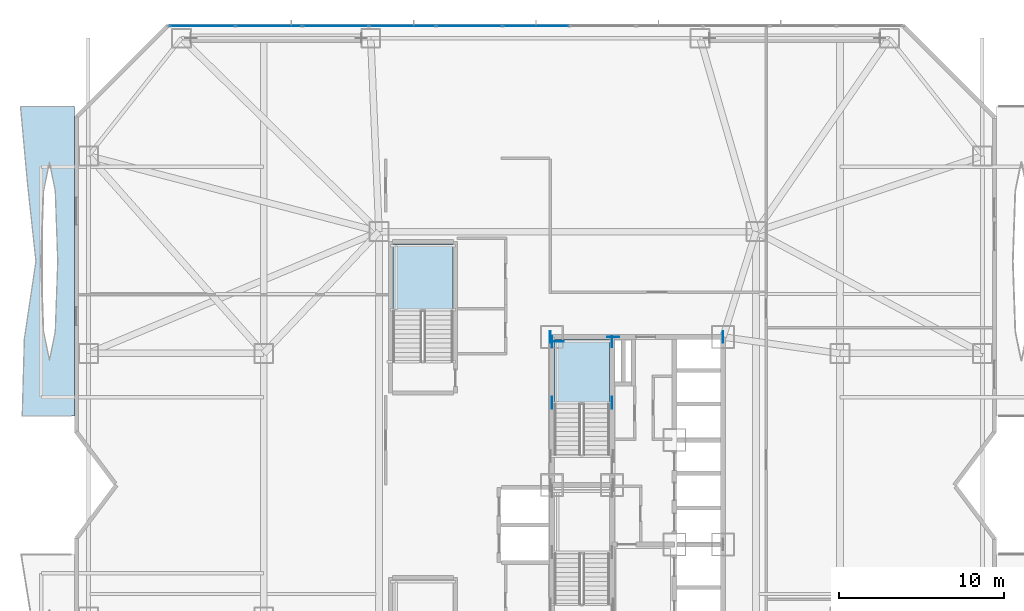
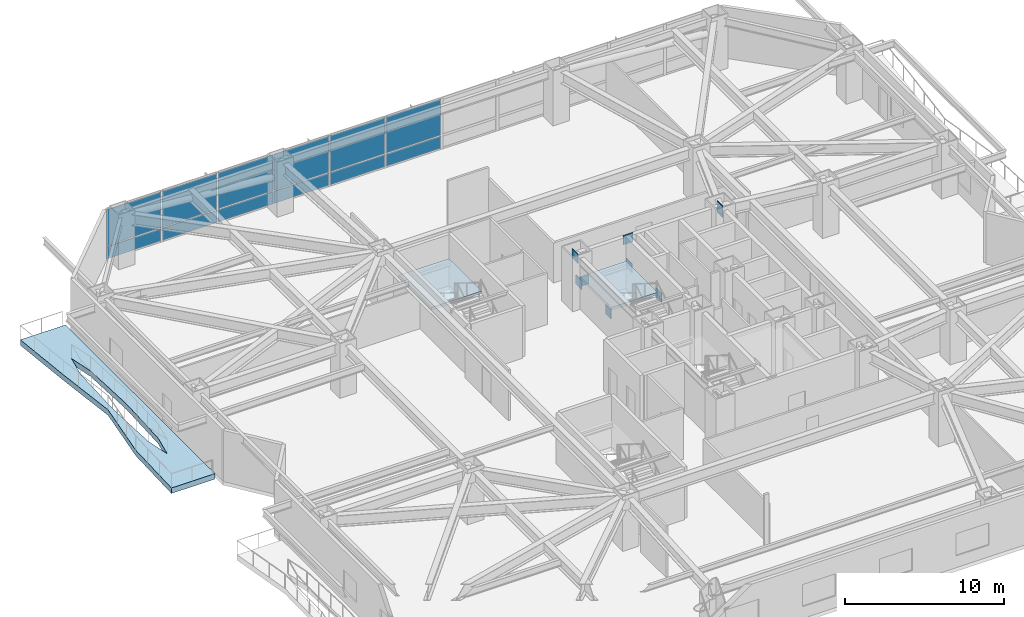
# One storey, part 12 of 25: 21 plates, 3 slabs, 3 elements without a shape of their own.
"""IFC4 building model written with IfcOpenShell, lengths in metres."""

from ifc_helpers import new_model, si_unit, direction, frame, origin, origin_2d, place, context, subcontext, project, spatial, polyline, rectangle, outline, extrude, material, layer, layer_set, type_object, element, aggregate, save


model = new_model("IFC4")

# Units and contexts
model_context = context("Model", 3, precision=1e-05, world=origin(), true_north=direction((0.0, 1.0)))
body_context = subcontext(model_context, "Body", "Model", "MODEL_VIEW")
ifc_project = project(units=[si_unit("LENGTHUNIT", "METRE"), si_unit("AREAUNIT", "SQUARE_METRE"), si_unit("VOLUMEUNIT", "CUBIC_METRE"), si_unit("PLANEANGLEUNIT", "RADIAN"), si_unit("MASSUNIT", "GRAM", prefix="KILO")], contexts=[model_context])

# Site, building, storey
site_placement = place(None, origin())
site = spatial("IfcSite", under=ifc_project, at=site_placement, CompositionType="ELEMENT")
building_placement = place(site_placement, origin())
building = spatial("IfcBuilding", under=site, at=building_placement, Name="Khamvora Tower", CompositionType="ELEMENT")
storey_placement = place(building_placement, frame((0.0, 0.0, 24.60009765625)))
storey = spatial("IfcBuildingStorey", under=building, at=storey_placement, Name="L05", CompositionType="ELEMENT", Elevation=24.60009765625)

# Curtain wall, plates
ifc_material_1 = material(Name="Anodised Aluminium 6063-T6", Category="aluminium")
curtain_wall_type = type_object("IfcCurtainWallType", Name="CW-SYS-01", PredefinedType="NOTDEFINED", material=ifc_material_1)
curtain_wall_placement = place(storey_placement, origin())
curtain_wall = element("IfcCurtainWall", 1, at=curtain_wall_placement, inside=storey, type_object=curtain_wall_type, Name="L05 stick curtain wall 07.1", PredefinedType="NOTDEFINED")
ifc_material_2 = material(Name="Low-E Laminated Double Glazing", Category="glass")
ifc_layer_1 = layer(ifc_material_2, 0.035888671875)
ifc_layer_set_1 = layer_set([ifc_layer_1], Name="Low-E Laminated Double Glazing")
plate_type_1 = type_object("IfcPlateType", Name="CW-SYS-01-PNL", PredefinedType="CURTAIN_PANEL", material=ifc_layer_set_1)
plate_1_placement = place(storey_placement, frame((7.774169921875, 55.8798828125, 0.074951171875), z_axis=(0.0, 0.0, 1.0), x_axis=(1.0, 0.0, 0.0)))
plate_1 = element("IfcPlate", 2, at=plate_1_placement, type_object=plate_type_1, Name="CW-01 panel 1.1", PredefinedType="CURTAIN_PANEL", context=body_context, shape_type="SweptSolid", body=[
    extrude(rectangle(XDim=3.944091796875, YDim=0.035888671875, at=origin_2d()), origin(), (0.0, 0.0, 1.0), 0.9375),
])
plate_2_placement = place(storey_placement, frame((7.774169921875, 55.8798828125, 1.08740234375), z_axis=(0.0, 0.0, 1.0), x_axis=(1.0, 0.0, 0.0)))
plate_2 = element("IfcPlate", 3, at=plate_2_placement, type_object=plate_type_1, Name="CW-01 panel 1.2", PredefinedType="CURTAIN_PANEL", context=body_context, shape_type="SweptSolid", body=[
    extrude(rectangle(XDim=3.944091796875, YDim=0.035888671875, at=origin_2d()), origin(), (0.0, 0.0, 1.0), 2.757568359375),
])
plate_3_placement = place(storey_placement, frame((11.81201171875, 55.8798828125, 0.074951171875), z_axis=(0.0, 0.0, 1.0), x_axis=(1.0, 0.0, 0.0)))
plate_3 = element("IfcPlate", 4, at=plate_3_placement, type_object=plate_type_1, Name="CW-01 panel 2.1", PredefinedType="CURTAIN_PANEL", context=body_context, shape_type="SweptSolid", body=[
    extrude(rectangle(XDim=3.981689453125, YDim=0.035888671875, at=origin_2d()), origin(), (0.0, 0.0, 1.0), 0.9375),
])
plate_4_placement = place(storey_placement, frame((11.81201171875, 55.8798828125, 1.08740234375), z_axis=(0.0, 0.0, 1.0), x_axis=(1.0, 0.0, 0.0)))
plate_4 = element("IfcPlate", 5, at=plate_4_placement, type_object=plate_type_1, Name="CW-01 panel 2.2", PredefinedType="CURTAIN_PANEL", context=body_context, shape_type="SweptSolid", body=[
    extrude(rectangle(XDim=3.981689453125, YDim=0.035888671875, at=origin_2d()), origin(), (0.0, 0.0, 1.0), 2.757568359375),
])
plate_5_placement = place(storey_placement, frame((15.86865234375, 55.8798828125, 0.074951171875), z_axis=(0.0, 0.0, 1.0), x_axis=(1.0, 0.0, 0.0)))
plate_5 = element("IfcPlate", 6, at=plate_5_placement, type_object=plate_type_1, Name="CW-01 panel 3.1", PredefinedType="CURTAIN_PANEL", context=body_context, shape_type="SweptSolid", body=[
    extrude(rectangle(XDim=3.981689453125, YDim=0.035888671875, at=origin_2d()), origin(), (0.0, 0.0, 1.0), 0.9375),
])
plate_6_placement = place(storey_placement, frame((15.86865234375, 55.8798828125, 1.08740234375), z_axis=(0.0, 0.0, 1.0), x_axis=(1.0, 0.0, 0.0)))
plate_6 = element("IfcPlate", 7, at=plate_6_placement, type_object=plate_type_1, Name="CW-01 panel 3.2", PredefinedType="CURTAIN_PANEL", context=body_context, shape_type="SweptSolid", body=[
    extrude(rectangle(XDim=3.981689453125, YDim=0.035888671875, at=origin_2d()), origin(), (0.0, 0.0, 1.0), 2.757568359375),
])
plate_7_placement = place(storey_placement, frame((19.92529296875, 55.8798828125, 0.074951171875), z_axis=(0.0, 0.0, 1.0), x_axis=(1.0, 0.0, 0.0)))
plate_7 = element("IfcPlate", 8, at=plate_7_placement, type_object=plate_type_1, Name="CW-01 panel 4.1", PredefinedType="CURTAIN_PANEL", context=body_context, shape_type="SweptSolid", body=[
    extrude(rectangle(XDim=3.981689453125, YDim=0.035888671875, at=origin_2d()), origin(), (0.0, 0.0, 1.0), 0.9375),
])
plate_8_placement = place(storey_placement, frame((19.92529296875, 55.8798828125, 1.08740234375), z_axis=(0.0, 0.0, 1.0), x_axis=(1.0, 0.0, 0.0)))
plate_8 = element("IfcPlate", 9, at=plate_8_placement, type_object=plate_type_1, Name="CW-01 panel 4.2", PredefinedType="CURTAIN_PANEL", context=body_context, shape_type="SweptSolid", body=[
    extrude(rectangle(XDim=3.981689453125, YDim=0.035888671875, at=origin_2d()), origin(), (0.0, 0.0, 1.0), 2.757568359375),
])
plate_9_placement = place(storey_placement, frame((23.98193359375, 55.8798828125, 0.074951171875), z_axis=(0.0, 0.0, 1.0), x_axis=(1.0, 0.0, 0.0)))
plate_9 = element("IfcPlate", 10, at=plate_9_placement, type_object=plate_type_1, Name="CW-01 panel 5.1", PredefinedType="CURTAIN_PANEL", context=body_context, shape_type="SweptSolid", body=[
    extrude(rectangle(XDim=3.981689453125, YDim=0.035888671875, at=origin_2d()), origin(), (0.0, 0.0, 1.0), 0.9375),
])
plate_10_placement = place(storey_placement, frame((23.98193359375, 55.8798828125, 1.08740234375), z_axis=(0.0, 0.0, 1.0), x_axis=(1.0, 0.0, 0.0)))
plate_10 = element("IfcPlate", 11, at=plate_10_placement, type_object=plate_type_1, Name="CW-01 panel 5.2", PredefinedType="CURTAIN_PANEL", context=body_context, shape_type="SweptSolid", body=[
    extrude(rectangle(XDim=3.981689453125, YDim=0.035888671875, at=origin_2d()), origin(), (0.0, 0.0, 1.0), 2.757568359375),
])
plate_11_placement = place(storey_placement, frame((28.03857421875, 55.8798828125, 0.074951171875), z_axis=(0.0, 0.0, 1.0), x_axis=(1.0, 0.0, 0.0)))
plate_11 = element("IfcPlate", 12, at=plate_11_placement, type_object=plate_type_1, Name="CW-01 panel 6.1", PredefinedType="CURTAIN_PANEL", context=body_context, shape_type="SweptSolid", body=[
    extrude(rectangle(XDim=3.981689453125, YDim=0.035888671875, at=origin_2d()), origin(), (0.0, 0.0, 1.0), 0.9375),
])
plate_12_placement = place(storey_placement, frame((28.03857421875, 55.8798828125, 1.08740234375), z_axis=(0.0, 0.0, 1.0), x_axis=(1.0, 0.0, 0.0)))
plate_12 = element("IfcPlate", 13, at=plate_12_placement, type_object=plate_type_1, Name="CW-01 panel 6.2", PredefinedType="CURTAIN_PANEL", context=body_context, shape_type="SweptSolid", body=[
    extrude(rectangle(XDim=3.981689453125, YDim=0.035888671875, at=origin_2d()), origin(), (0.0, 0.0, 1.0), 2.757568359375),
])
aggregate(curtain_wall, [plate_1, plate_2, plate_3, plate_4, plate_5, plate_6, plate_7, plate_8, plate_9, plate_10, plate_11, plate_12])

# Plates
ifc_material_3 = material(Name="Steel S460", Category="steel")
ifc_layer_2 = layer(ifc_material_3, 0.034912109375)
ifc_layer_set_2 = layer_set([ifc_layer_2], Name="Steel S460")
plate_type_2 = type_object("IfcPlateType", Name="PL-EMB-35", PredefinedType="SHEET", material=ifc_layer_set_2)
for number, where, z_axis, x_axis, name in (
    (14, (29.0, 33.014892578125, 1.40869140625), (0.0, 0.0, 1.0), (1.0, 0.0, 0.0), "L05 core shear wall cast-in embed plate 0179"),
    (15, (32.64990234375, 33.014892578125, 1.40869140625), (0.0, 0.0, 1.0), (1.0, 0.0, 0.0), "L05 core shear wall cast-in embed plate 0180"),
    (16, (29.0, 36.72998046875, 1.40869140625), (0.0, 0.0, 1.0), (1.0, 0.0, 0.0), "L05 core shear wall cast-in embed plate 0181"),
    (17, (32.64990234375, 36.72998046875, 1.40869140625), (0.0, 0.0, 1.0), (1.0, 0.0, 0.0), "L05 core shear wall cast-in embed plate 0182"),
):
    element("IfcPlate", number, at=place(storey_placement, frame(where, z_axis=z_axis, x_axis=x_axis)), inside=storey, type_object=plate_type_2, Name=name, PredefinedType="SHEET", context=body_context, shape_type="SweptSolid", body=[
        extrude(rectangle(XDim=0.034912109375, YDim=0.719970703125, at=origin_2d()), origin(), (0.0, 0.0, 1.0), 0.719970703125),
    ])
plate_13_placement = place(storey_placement, frame((29.35009765625, 36.72998046875, 1.40869140625), z_axis=(0.0, 0.0, 1.0), x_axis=(1.0, 0.0, 0.0)))
element("IfcPlate", 18, at=plate_13_placement, inside=storey, type_object=plate_type_2, Name="L05 core shear wall cast-in embed plate 0183", PredefinedType="SHEET", context=body_context, shape_type="SweptSolid", body=[
    extrude(rectangle(XDim=0.719970703125, YDim=0.034912109375, at=origin_2d()), origin(), (0.0, 0.0, 1.0), 0.719970703125),
])
for number, where, z_axis, x_axis, name in (
    (19, (39.39990234375, 37.0, 3.1328125), (0.0, 0.0, 1.0), (1.0, 0.0, 0.0), "L05 core shear wall cast-in embed plate 0185"),
    (20, (28.89990234375, 37.0, 3.29296875), (0.0, 0.0, 1.0), (1.0, 0.0, 0.0), "L05 core shear wall cast-in embed plate 0188"),
):
    element("IfcPlate", number, at=place(storey_placement, frame(where, z_axis=z_axis, x_axis=x_axis)), inside=storey, type_object=plate_type_2, Name=name, PredefinedType="SHEET", context=body_context, shape_type="SweptSolid", body=[
        extrude(rectangle(XDim=0.034912109375, YDim=0.719970703125, at=origin_2d()), origin(), (0.0, 0.0, 1.0), 0.719970703125),
    ])
plate_14_placement = place(storey_placement, frame((32.72998046875, 37.0, 3.29296875), z_axis=(0.0, 0.0, 1.0), x_axis=(1.0, 0.0, 0.0)))
element("IfcPlate", 21, at=plate_14_placement, inside=storey, type_object=plate_type_2, Name="L05 core shear wall cast-in embed plate 0191", PredefinedType="SHEET", context=body_context, shape_type="SweptSolid", body=[
    extrude(rectangle(XDim=0.719970703125, YDim=0.034912109375, at=origin_2d()), origin(), (0.0, 0.0, 1.0), 0.719970703125),
])
plate_15_placement = place(storey_placement, frame((39.39990234375, 37.0, 3.29296875), z_axis=(0.0, 0.0, 1.0), x_axis=(1.0, 0.0, 0.0)))
element("IfcPlate", 22, at=plate_15_placement, inside=storey, type_object=plate_type_2, Name="L05 core shear wall cast-in embed plate 0194", PredefinedType="SHEET", context=body_context, shape_type="SweptSolid", body=[
    extrude(rectangle(XDim=0.034912109375, YDim=0.719970703125, at=origin_2d()), origin(), (0.0, 0.0, 1.0), 0.719970703125),
])

# Slab
ifc_material_4 = material(Name="Concrete C40/50", Category="concrete")
ifc_layer_3 = layer(ifc_material_4, 0.419921875)
ifc_layer_set_3 = layer_set([ifc_layer_3], Name="Concrete C40/50")
slab_type_1 = type_object("IfcSlabType", Name="SLB-GRD-420", PredefinedType="FLOOR", material=ifc_layer_set_3)
slab_1_placement = place(storey_placement, frame((0.0, 0.0, -0.420166015625)))
element("IfcSlab", 23, at=slab_1_placement, inside=storey, type_object=slab_type_1, Name="L05 external lens gallery slab WL2", PredefinedType="FLOOR", context=body_context, shape_type="SweptSolid", body=[
    extrude(outline(polyline([(0.0, 32.199951171875), (0.0, 51.0), (-3.27197265625, 51.0), (-2.845947265625, 46.300048828125), (-2.3349609375, 41.60009765625), (-3.0380859375, 36.89990234375), (-3.1669921875, 32.199951171875), (0.0, 32.199951171875)]), holes=[polyline([(-1.010986328125, 41.60009765625), (-1.158935546875, 45.85400390625), (-1.514892578125, 47.615966796875), (-1.87109375, 45.85400390625), (-2.01904296875, 41.60009765625), (-1.87109375, 37.345947265625), (-1.514892578125, 35.583984375), (-1.158935546875, 37.345947265625), (-1.010986328125, 41.60009765625)])]), origin(), (0.0, 0.0, 1.0), 0.420166015625),
])

# Stair, slab
stair_type_1 = type_object("IfcStairType", Name="STR-ST-02", PredefinedType="HALF_TURN_STAIR", material=ifc_material_4)
stair_1_placement = place(storey_placement, origin())
stair_1 = element("IfcStair", 24, at=stair_1_placement, inside=storey, type_object=stair_type_1, Name="L05 North Tower Exit Stair ST-02", PredefinedType="HALF_TURN_STAIR")
ifc_layer_4 = layer(ifc_material_4, 0.199951171875)
ifc_layer_set_4 = layer_set([ifc_layer_4], Name="Concrete C40/50")
slab_type_2 = type_object("IfcSlabType", Name="SLB-LND-200", PredefinedType="LANDING", material=ifc_layer_set_4)
slab_2_placement = place(storey_placement, frame((0.0, 0.0, 1.89990234375)))
slab_2 = element("IfcSlab", 25, at=slab_2_placement, type_object=slab_type_2, Name="ST-02 landing 1", PredefinedType="LANDING", context=body_context, shape_type="SweptSolid", body=[
    extrude(outline(polyline([(32.5, 32.89501953125), (32.5, 36.85009765625), (29.14990234375, 36.85009765625), (29.14990234375, 32.89501953125), (32.5, 32.89501953125)])), origin(), (0.0, 0.0, 1.0), 0.199951171875),
])
aggregate(stair_1, [slab_2])

stair_type_2 = type_object("IfcStairType", Name="STR-ST-04", PredefinedType="HALF_TURN_STAIR", material=ifc_material_4)
stair_2_placement = place(storey_placement, origin())
stair_2 = element("IfcStair", 26, at=stair_2_placement, inside=storey, type_object=stair_type_2, Name="L05 North School Podium Stair ST-04", PredefinedType="HALF_TURN_STAIR")
slab_3_placement = place(storey_placement, frame((0.0, 0.0, 1.89990234375)))
slab_3 = element("IfcSlab", 27, at=slab_3_placement, type_object=slab_type_2, Name="ST-04 landing 1", PredefinedType="LANDING", context=body_context, shape_type="SweptSolid", body=[
    extrude(outline(polyline([(23.0, 38.544921875), (23.0, 42.64990234375), (19.35009765625, 42.64990234375), (19.35009765625, 38.544921875), (23.0, 38.544921875)])), origin(), (0.0, 0.0, 1.0), 0.199951171875),
])
aggregate(stair_2, [slab_3])

save(model, "model.ifc")
